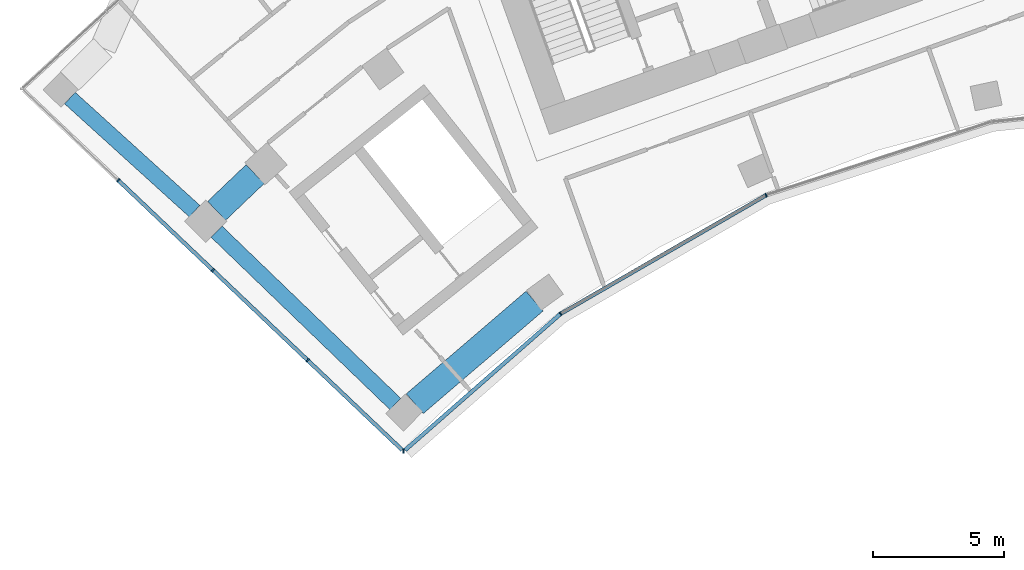
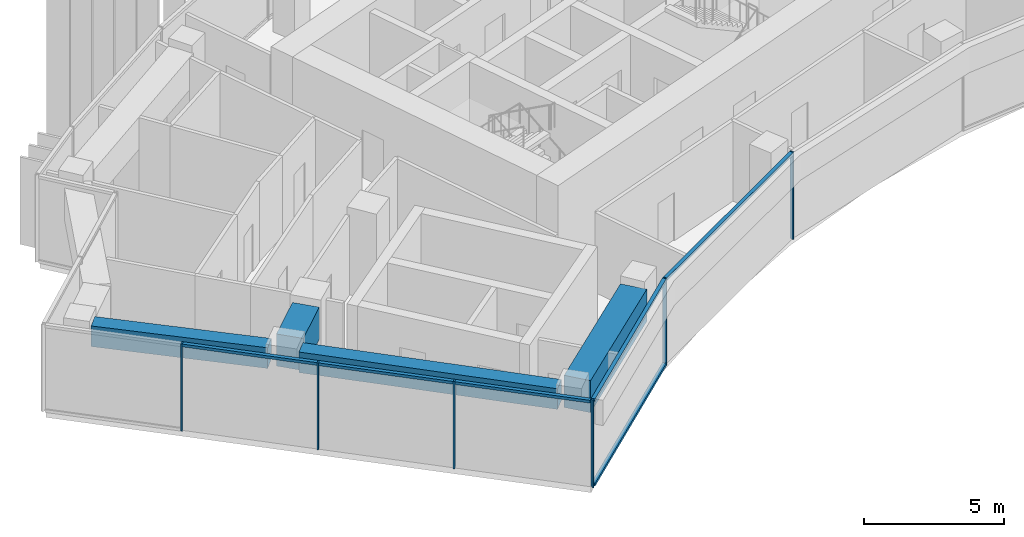
# One storey, part 2 of 20: 12 members, 4 beams, 2 elements without a shape of their own.
"""IFC4 building model written with IfcOpenShell, lengths in metres."""

from ifc_helpers import new_model, si_unit, direction, frame, origin, origin_2d, place, context, subcontext, project, spatial, rectangle, extrude, material, layer, layer_set, material_profile, profile_set, type_object, element, aggregate, save


model = new_model("IFC4")

# Units and contexts
model_context = context("Model", 3, precision=1e-05, world=origin(), true_north=direction((0.0, 1.0)))
body_context = subcontext(model_context, "Body", "Model", "MODEL_VIEW")
ifc_project = project(units=[si_unit("LENGTHUNIT", "METRE"), si_unit("AREAUNIT", "SQUARE_METRE"), si_unit("VOLUMEUNIT", "CUBIC_METRE"), si_unit("PLANEANGLEUNIT", "RADIAN"), si_unit("MASSUNIT", "GRAM", prefix="KILO")], contexts=[model_context])

# Site, building, storey
site_placement = place(None, origin())
site = spatial("IfcSite", under=ifc_project, at=site_placement, CompositionType="ELEMENT")
building_placement = place(site_placement, origin())
building = spatial("IfcBuilding", under=site, at=building_placement, Name="Stone Belt Terrace Tower", CompositionType="ELEMENT")
storey_placement = place(building_placement, frame((0.0, 0.0, 212.39990234375)))
storey = spatial("IfcBuildingStorey", under=building, at=storey_placement, Name="L51", CompositionType="ELEMENT", Elevation=212.39990234375)

# Curtain wall, members
ifc_material_1 = material(Name="Aluminium 6063-T6 anodised frame", Category="aluminium")
ifc_layer_1 = layer(ifc_material_1, 0.14990234375)
ifc_layer_set_1 = layer_set([ifc_layer_1], Name="CW-B unitised concave-face curtain wall")
curtain_wall_type_1 = type_object("IfcCurtainWallType", Name="CW-B unitised concave-face curtain wall", PredefinedType="NOTDEFINED", material=ifc_layer_set_1)
curtain_wall_1_placement = place(storey_placement, origin())
curtain_wall_1 = element("IfcCurtainWall", 1, at=curtain_wall_1_placement, inside=storey, type_object=curtain_wall_type_1, Name="CW-B concave face L51", PredefinedType="NOTDEFINED")
ifc_material_profile_1 = material_profile(ifc_material_1, rectangle(XDim=0.14990234375, YDim=0.050048828125, at=origin_2d()), Name="Aluminium 6063-T6 50x150")
ifc_profile_set_1 = profile_set([ifc_material_profile_1], Name="Aluminium 6063-T6 anodised frame")
member_type_1 = type_object("IfcMemberType", Name="CW-B mullion 50 x 150", PredefinedType="MULLION", material=ifc_profile_set_1)
member_1_placement = place(storey_placement, frame((-31.535888671875, 29.863037109375, 0.0), z_axis=(0.0, 0.0, 1.0), x_axis=(0.020135351708, 0.999797263255, 0.0)))
member_1 = element("IfcMember", 2, at=member_1_placement, type_object=member_type_1, Name="CW-B mullion 1", PredefinedType="MULLION", context=body_context, shape_type="SweptSolid", body=[
    extrude(rectangle(XDim=0.14990234375, YDim=0.050048828125, at=origin_2d()), origin(), (0.0, 0.0, 1.0), 3.800048828125),
])
member_2_placement = place(storey_placement, frame((-25.524658203125, 35.130859375, 0.0), z_axis=(0.0, 0.0, 1.0), x_axis=(-0.582341737817, 0.812944094263, 0.0)))
member_2 = element("IfcMember", 3, at=member_2_placement, type_object=member_type_1, Name="CW-B mullion 2", PredefinedType="MULLION", context=body_context, shape_type="SweptSolid", body=[
    extrude(rectangle(XDim=0.14990234375, YDim=0.050048828125, at=origin_2d()), origin(), (0.0, 0.0, 1.0), 3.800048828125),
])
member_3_placement = place(storey_placement, frame((-17.662353515625, 39.67041015625, 0.0), z_axis=(0.0, 0.0, 1.0), x_axis=(-0.406736643076, 0.913545457643, 0.0)))
member_3 = element("IfcMember", 4, at=member_3_placement, type_object=member_type_1, Name="CW-B mullion 3", PredefinedType="MULLION", context=body_context, shape_type="SweptSolid", body=[
    extrude(rectangle(XDim=0.14990234375, YDim=0.050048828125, at=origin_2d()), origin(), (0.0, 0.0, 1.0), 3.800048828125),
])
ifc_material_profile_2 = material_profile(ifc_material_1, rectangle(XDim=0.14990234375, YDim=0.1201171875, at=origin_2d()), Name="Aluminium 6063-T6 150x120")
ifc_profile_set_2 = profile_set([ifc_material_profile_2], Name="Aluminium 6063-T6 anodised frame")
member_type_2 = type_object("IfcMemberType", Name="CW-B transom 120 x 150", PredefinedType="USERDEFINED", material=ifc_profile_set_2)
member_4_placement = place(storey_placement, frame((-31.48388671875, 29.908447265625, 0.06005859375), z_axis=(0.752060929485, 0.659093588455, 0.0), x_axis=(-0.659093588455, 0.752060929485, 0.0)))
member_4 = element("IfcMember", 5, at=member_4_placement, type_object=member_type_2, Name="CW-B transom 1.1", ObjectType="TRANSOM", PredefinedType="USERDEFINED", context=body_context, shape_type="SweptSolid", body=[
    extrude(rectangle(XDim=0.14990234375, YDim=0.1201171875, at=origin_2d()), origin(), (0.0, 0.0, 1.0), 7.891357421875),
])
member_5_placement = place(storey_placement, frame((-31.48388671875, 29.908447265625, 3.739990234375), z_axis=(0.752060929485, 0.659093588455, 0.0), x_axis=(-0.659093588455, 0.752060929485, 0.0)))
member_5 = element("IfcMember", 6, at=member_5_placement, type_object=member_type_2, Name="CW-B transom 1.2", ObjectType="TRANSOM", PredefinedType="USERDEFINED", context=body_context, shape_type="SweptSolid", body=[
    extrude(rectangle(XDim=0.14990234375, YDim=0.1201171875, at=origin_2d()), origin(), (0.0, 0.0, 1.0), 7.891357421875),
])
member_6_placement = place(storey_placement, frame((-25.496826171875, 35.14697265625, 3.739990234375), z_axis=(0.866015991872, 0.500016301556, 0.0), x_axis=(-0.500016301556, 0.866015991872, 0.0)))
member_6 = element("IfcMember", 7, at=member_6_placement, type_object=member_type_2, Name="CW-B transom 2.1", ObjectType="TRANSOM", PredefinedType="USERDEFINED", context=body_context, shape_type="SweptSolid", body=[
    extrude(rectangle(XDim=0.14990234375, YDim=0.1201171875, at=origin_2d()), origin(), (0.0, 0.0, 1.0), 9.013916015625),
])
aggregate(curtain_wall_1, [member_1, member_2, member_3, member_4, member_5, member_6])

ifc_layer_2 = layer(ifc_material_1, 0.14990234375)
ifc_layer_set_2 = layer_set([ifc_layer_2], Name="CW-C stick curtain wall, horn ends and notches")
curtain_wall_type_2 = type_object("IfcCurtainWallType", Name="CW-C stick curtain wall, horn ends and notches", PredefinedType="NOTDEFINED", material=ifc_layer_set_2)
curtain_wall_2_placement = place(storey_placement, origin())
curtain_wall_2 = element("IfcCurtainWall", 8, at=curtain_wall_2_placement, inside=storey, type_object=curtain_wall_type_2, Name="CW-C end face L51", PredefinedType="NOTDEFINED")
ifc_material_profile_3 = material_profile(ifc_material_1, rectangle(XDim=0.14990234375, YDim=0.06005859375, at=origin_2d()), Name="Aluminium 6063-T6 60x150")
ifc_profile_set_3 = profile_set([ifc_material_profile_3], Name="Aluminium 6063-T6 anodised frame")
member_type_3 = type_object("IfcMemberType", Name="CW-C mullion 60 x 150", PredefinedType="MULLION", material=ifc_profile_set_3)
member_7_placement = place(storey_placement, frame((-42.459228515625, 40.24267578125, 0.0), z_axis=(0.0, 0.0, 1.0), x_axis=(0.688839705238, 0.72491369175, 0.0)))
member_7 = element("IfcMember", 9, at=member_7_placement, type_object=member_type_3, Name="CW-C mullion 2", PredefinedType="MULLION", context=body_context, shape_type="SweptSolid", body=[
    extrude(rectangle(XDim=0.14990234375, YDim=0.06005859375, at=origin_2d()), origin(), (0.0, 0.0, 1.0), 3.800048828125),
])
member_8_placement = place(storey_placement, frame((-38.83447265625, 36.798583984375, 0.0), z_axis=(0.0, 0.0, 1.0), x_axis=(0.688839705238, 0.72491369175, 0.0)))
member_8 = element("IfcMember", 10, at=member_8_placement, type_object=member_type_3, Name="CW-C mullion 3", PredefinedType="MULLION", context=body_context, shape_type="SweptSolid", body=[
    extrude(rectangle(XDim=0.14990234375, YDim=0.06005859375, at=origin_2d()), origin(), (0.0, 0.0, 1.0), 3.800048828125),
])
member_9_placement = place(storey_placement, frame((-35.2099609375, 33.354248046875, 0.0), z_axis=(0.0, 0.0, 1.0), x_axis=(0.688839705238, 0.72491369175, 0.0)))
member_9 = element("IfcMember", 11, at=member_9_placement, type_object=member_type_3, Name="CW-C mullion 4", PredefinedType="MULLION", context=body_context, shape_type="SweptSolid", body=[
    extrude(rectangle(XDim=0.14990234375, YDim=0.06005859375, at=origin_2d()), origin(), (0.0, 0.0, 1.0), 3.800048828125),
])
ifc_material_profile_4 = material_profile(ifc_material_1, rectangle(XDim=0.14990234375, YDim=0.1201171875, at=origin_2d()), Name="Aluminium 6063-T6 150x120")
ifc_profile_set_4 = profile_set([ifc_material_profile_4], Name="Aluminium 6063-T6 anodised frame")
member_type_4 = type_object("IfcMemberType", Name="CW-C transom 120 x 150", PredefinedType="USERDEFINED", material=ifc_profile_set_4)
member_10_placement = place(storey_placement, frame((-42.437255859375, 40.22216796875, 3.739990234375), z_axis=(0.724915521956, -0.688837779181, 0.0), x_axis=(0.688837779181, 0.724915521956, 0.0)))
member_10 = element("IfcMember", 12, at=member_10_placement, type_object=member_type_4, Name="CW-C transom 2.1", ObjectType="TRANSOM", PredefinedType="USERDEFINED", context=body_context, shape_type="SweptSolid", body=[
    extrude(rectangle(XDim=0.14990234375, YDim=0.1201171875, at=origin_2d()), origin(), (0.0, 0.0, 1.0), 4.93994140625),
])
member_11_placement = place(storey_placement, frame((-38.812744140625, 36.77783203125, 3.739990234375), z_axis=(0.724915521956, -0.688837779181, 0.0), x_axis=(0.688837779181, 0.724915521956, 0.0)))
member_11 = element("IfcMember", 13, at=member_11_placement, type_object=member_type_4, Name="CW-C transom 3.1", ObjectType="TRANSOM", PredefinedType="USERDEFINED", context=body_context, shape_type="SweptSolid", body=[
    extrude(rectangle(XDim=0.14990234375, YDim=0.1201171875, at=origin_2d()), origin(), (0.0, 0.0, 1.0), 4.93994140625),
])
member_12_placement = place(storey_placement, frame((-35.188232421875, 33.333740234375, 3.739990234375), z_axis=(0.724896313567, -0.688857993041, 0.0), x_axis=(0.688857993041, 0.724896313567, 0.0)))
member_12 = element("IfcMember", 14, at=member_12_placement, type_object=member_type_4, Name="CW-C transom 4.1", ObjectType="TRANSOM", PredefinedType="USERDEFINED", context=body_context, shape_type="SweptSolid", body=[
    extrude(rectangle(XDim=0.14990234375, YDim=0.1201171875, at=origin_2d()), origin(), (0.0, 0.0, 1.0), 4.965576171875),
])
aggregate(curtain_wall_2, [member_7, member_8, member_9, member_10, member_11, member_12])

# Beams
ifc_material_2 = material(Name="Concrete B60", Category="concrete")
ifc_material_profile_5 = material_profile(ifc_material_2, rectangle(XDim=0.60009765625, YDim=0.89990234375, at=origin_2d()), Name="RC 600x900")
ifc_profile_set_5 = profile_set([ifc_material_profile_5], Name="Concrete B60")
beam_type_1 = type_object("IfcBeamType", Name="Edge beam RC 600x900 B60", PredefinedType="SPANDREL", material=ifc_profile_set_5)
beam_1_placement = place(storey_placement, frame((-31.849853515625, 31.676513671875, 3.030029296875), z_axis=(-0.720008357079, 0.693965392319, 0.0), x_axis=(-0.693965392319, -0.720008357079, 0.0)))
element("IfcBeam", 15, at=beam_1_placement, inside=storey, type_object=beam_type_1, Name="Edge beam L51 A P to Q", PredefinedType="SPANDREL", context=body_context, shape_type="SweptSolid", body=[
    extrude(rectangle(XDim=0.60009765625, YDim=0.89990234375, at=origin_2d()), origin(), (0.0, 0.0, 1.0), 9.505859375),
])
beam_2_placement = place(storey_placement, frame((-39.534423828125, 39.05908203125, 3.030029296875), z_axis=(-0.740813729974, 0.671710516132, 0.0), x_axis=(-0.671710516132, -0.740813729974, 0.0)))
element("IfcBeam", 16, at=beam_2_placement, inside=storey, type_object=beam_type_1, Name="Edge beam L51 A Q to R", PredefinedType="SPANDREL", context=body_context, shape_type="SweptSolid", body=[
    extrude(rectangle(XDim=0.60009765625, YDim=0.89990234375, at=origin_2d()), origin(), (0.0, 0.0, 1.0), 6.444091796875),
])
ifc_material_3 = material(Name="Concrete B80", Category="concrete")
ifc_material_profile_6 = material_profile(ifc_material_3, rectangle(XDim=1.0, YDim=1.39990234375, at=origin_2d()), Name="RC 1000x1400")
ifc_profile_set_6 = profile_set([ifc_material_profile_6], Name="Concrete B80")
beam_type_2 = type_object("IfcBeamType", Name="Transfer beam RC 1000x1400 B80", PredefinedType="BEAM", material=ifc_profile_set_6)
beam_3_placement = place(storey_placement, frame((-31.107666015625, 31.689208984375, 2.780029296875), z_axis=(0.759556386112, 0.650441462636, 0.0), x_axis=(-0.650441462636, 0.759556386112, 0.0)))
element("IfcBeam", 17, at=beam_3_placement, inside=storey, type_object=beam_type_2, Name="Transfer beam L51 PPA-P16", PredefinedType="BEAM", context=body_context, shape_type="SweptSolid", body=[
    extrude(rectangle(XDim=1.0, YDim=1.39990234375, at=origin_2d()), origin(), (0.0, 0.0, 1.0), 6.034423828125),
])
beam_4_placement = place(storey_placement, frame((-38.69189453125, 39.069580078125, 2.780029296875), z_axis=(0.723453495212, 0.690373116703, 0.0), x_axis=(-0.690373116703, 0.723453495212, 0.0)))
element("IfcBeam", 18, at=beam_4_placement, inside=storey, type_object=beam_type_2, Name="Transfer beam L51 QQA-Q15", PredefinedType="BEAM", context=body_context, shape_type="SweptSolid", body=[
    extrude(rectangle(XDim=1.0, YDim=1.39990234375, at=origin_2d()), origin(), (0.0, 0.0, 1.0), 2.036865234375),
])

save(model, "model.ifc")
